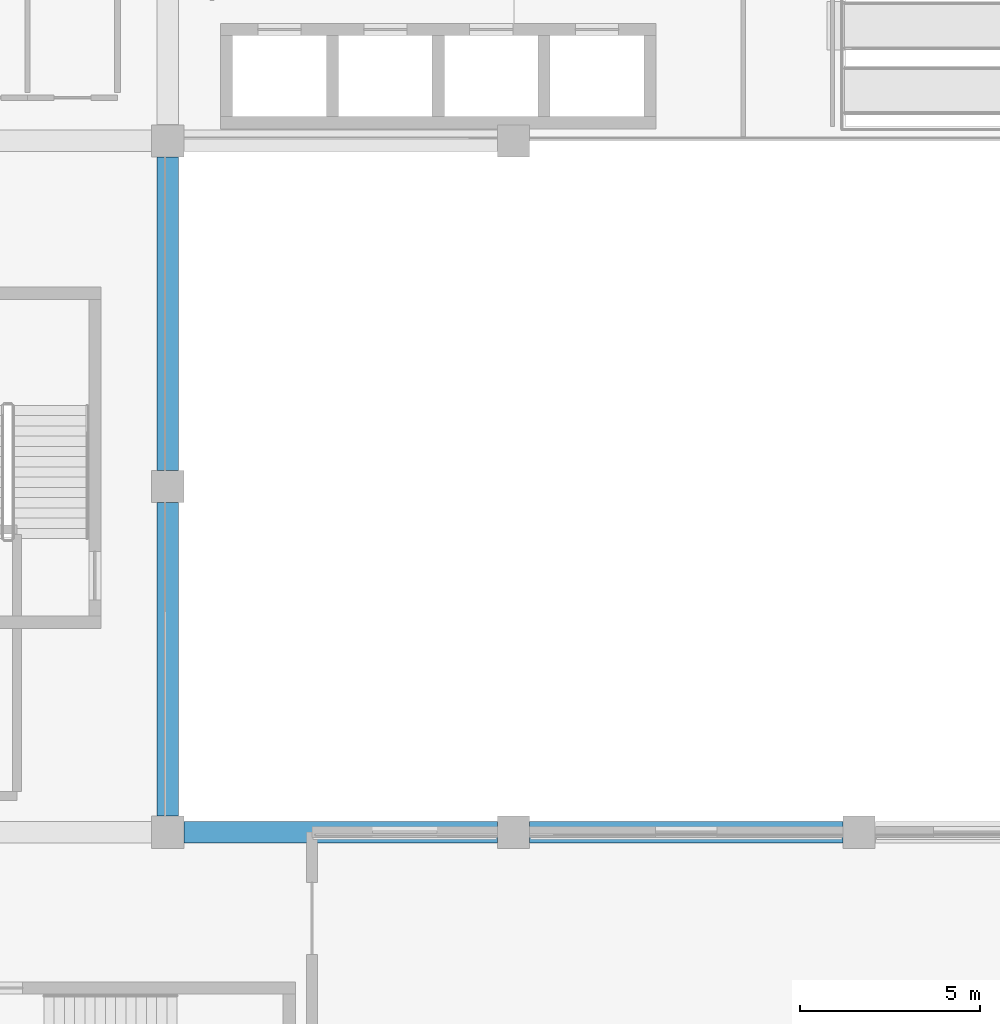
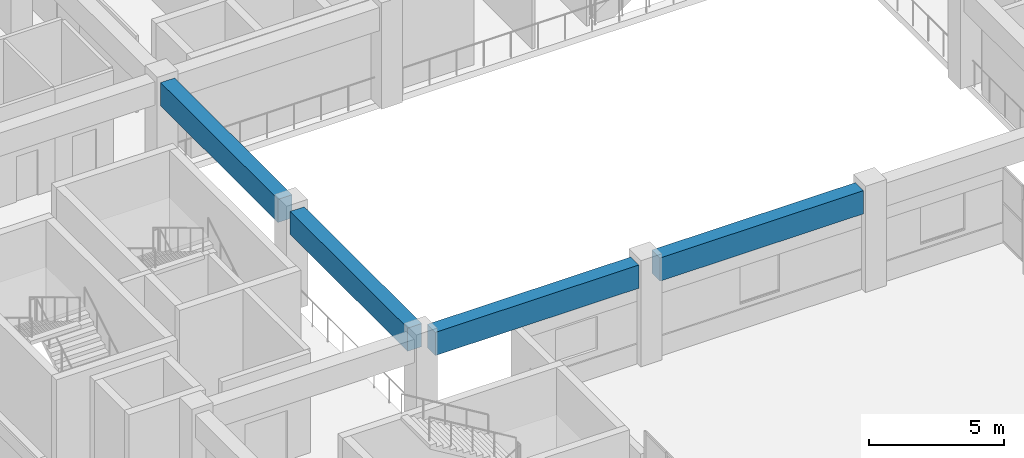
# One storey, part 5 of 96: 4 beams.
"""IFC4 building model written with IfcOpenShell, lengths in metres."""

from ifc_helpers import new_model, si_unit, direction, frame, origin, origin_2d, place, context, subcontext, project, spatial, rectangle, extrude, material, material_profile, profile_set, type_object, element, save


model = new_model("IFC4")

# Units and contexts
model_context = context("Model", 3, precision=1e-05, world=origin(), true_north=direction((0.0, 1.0)))
body_context = subcontext(model_context, "Body", "Model", "MODEL_VIEW")
ifc_project = project(units=[si_unit("LENGTHUNIT", "METRE"), si_unit("AREAUNIT", "SQUARE_METRE"), si_unit("VOLUMEUNIT", "CUBIC_METRE"), si_unit("PLANEANGLEUNIT", "RADIAN"), si_unit("MASSUNIT", "GRAM", prefix="KILO")], contexts=[model_context])

# Site, building, storey
site_placement = place(None, origin())
site = spatial("IfcSite", under=ifc_project, at=site_placement, CompositionType="ELEMENT")
building_placement = place(site_placement, origin())
building = spatial("IfcBuilding", under=site, at=building_placement, Name="Cendralis Terraced Arcade", CompositionType="ELEMENT")
storey_placement = place(building_placement, frame((0.0, 0.0, 10.199951171875)))
storey = spatial("IfcBuildingStorey", under=building, at=storey_placement, Name="L02", CompositionType="ELEMENT", Elevation=10.199951171875)

# Beams
ifc_material = material(Name="Concrete f'c 35 MPa", Category="concrete")
ifc_material_profile = material_profile(ifc_material, rectangle(XDim=0.60009765625, YDim=1.050048828125, at=origin_2d()), Name="RC-BM-600x1050", Category="LoadBearing")
ifc_profile_set = profile_set([ifc_material_profile], Name="Concrete f'c 35 MPa")
beam_type = type_object("IfcBeamType", Name="BM-600x1050", PredefinedType="JOIST", material=ifc_profile_set)
beam_1_placement = place(storey_placement, frame((19.64990234375, 19.199951171875, 3.989990234375), z_axis=(1.0, 0.0, 0.0), x_axis=(0.0, 1.0, 0.0)))
element("IfcBeam", 1, at=beam_1_placement, inside=storey, type_object=beam_type, Name="Reinforced Concrete Frame Beam BM-X-L03-C-3_4", PredefinedType="JOIST", context=body_context, shape_type="SweptSolid", body=[
    extrude(rectangle(XDim=0.60009765625, YDim=1.050048828125, at=origin_2d()), origin(), (0.0, 0.0, 1.0), 8.7001953125),
])
beam_2_placement = place(storey_placement, frame((29.25, 19.199951171875, 3.989990234375), z_axis=(1.0, 0.0, 0.0), x_axis=(0.0, 1.0, 0.0)))
element("IfcBeam", 2, at=beam_2_placement, inside=storey, type_object=beam_type, Name="Reinforced Concrete Frame Beam BM-X-L03-C-4_5", PredefinedType="JOIST", context=body_context, shape_type="SweptSolid", body=[
    extrude(rectangle(XDim=0.60009765625, YDim=1.050048828125, at=origin_2d()), origin(), (0.0, 0.0, 1.0), 8.699951171875),
])
beam_3_placement = place(storey_placement, frame((19.199951171875, 19.64990234375, 3.989990234375), z_axis=(0.0, 1.0, 0.0), x_axis=(-1.0, 0.0, 0.0)))
element("IfcBeam", 3, at=beam_3_placement, inside=storey, type_object=beam_type, Name="Reinforced Concrete Frame Beam BM-Y-L03-3-C_D", PredefinedType="JOIST", context=body_context, shape_type="SweptSolid", body=[
    extrude(rectangle(XDim=0.60009765625, YDim=1.050048828125, at=origin_2d()), origin(), (0.0, 0.0, 1.0), 8.7001953125),
])
beam_4_placement = place(storey_placement, frame((19.199951171875, 29.25, 3.989990234375), z_axis=(0.0, 1.0, 0.0), x_axis=(-1.0, 0.0, 0.0)))
element("IfcBeam", 4, at=beam_4_placement, inside=storey, type_object=beam_type, Name="Reinforced Concrete Frame Beam BM-Y-L03-3-D_E", PredefinedType="JOIST", context=body_context, shape_type="SweptSolid", body=[
    extrude(rectangle(XDim=0.60009765625, YDim=1.050048828125, at=origin_2d()), origin(), (0.0, 0.0, 1.0), 8.699951171875),
])

save(model, "model.ifc")
